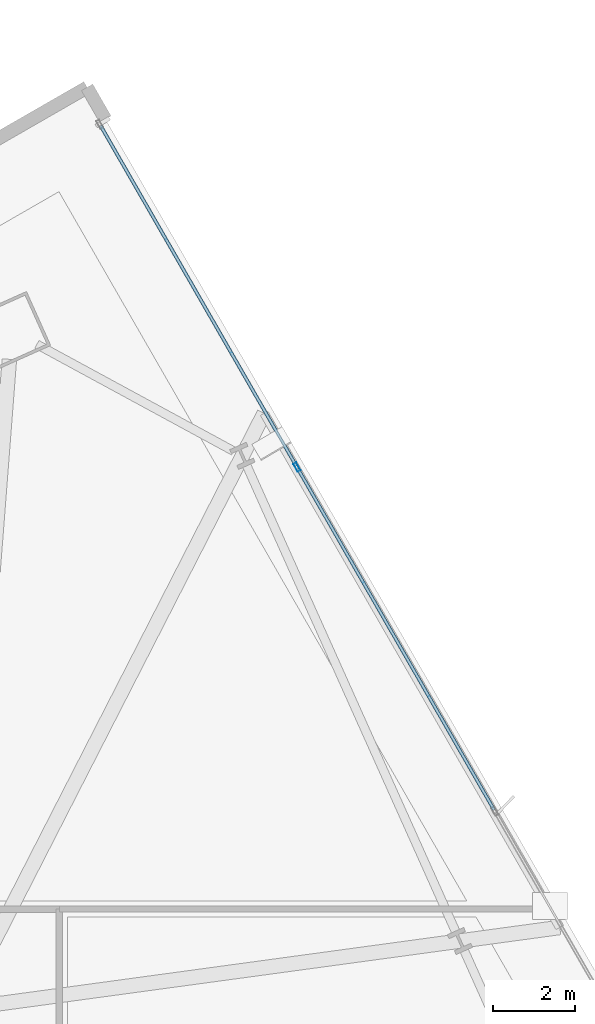
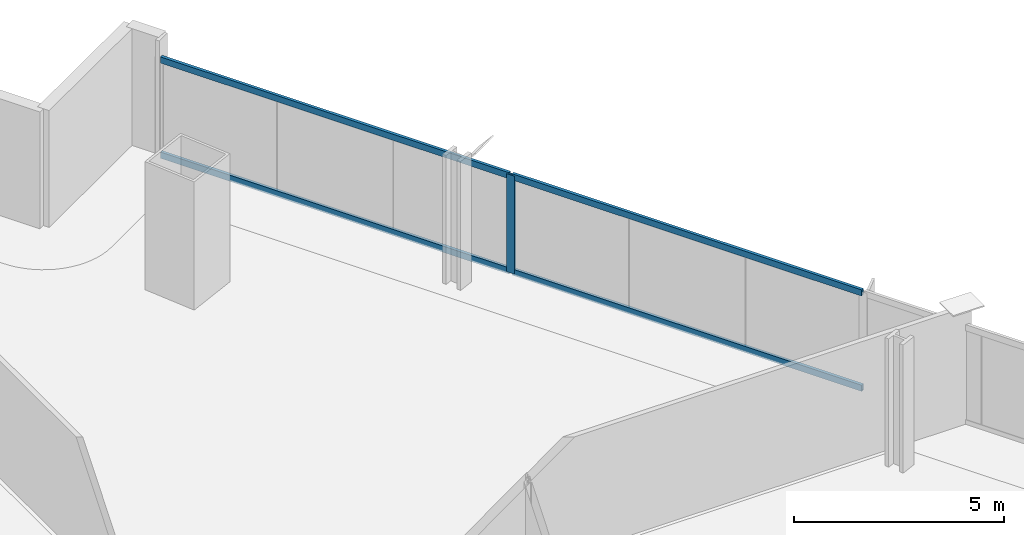
# One storey, part 20 of 33: 5 members, 1 element without a shape of its own.
"""IFC4 building model written with IfcOpenShell, lengths in metres."""

from ifc_helpers import new_model, si_unit, direction, frame, origin, origin_2d, place, context, subcontext, project, spatial, hollow_rectangle, extrude, material, material_profile, profile_set, type_object, element, aggregate, save


model = new_model("IFC4")

# Units and contexts
model_context = context("Model", 3, precision=1e-05, world=origin(), true_north=direction((0.0, 1.0)))
body_context = subcontext(model_context, "Body", "Model", "MODEL_VIEW")
ifc_project = project(units=[si_unit("LENGTHUNIT", "METRE"), si_unit("AREAUNIT", "SQUARE_METRE"), si_unit("VOLUMEUNIT", "CUBIC_METRE"), si_unit("PLANEANGLEUNIT", "RADIAN"), si_unit("MASSUNIT", "GRAM", prefix="KILO")], contexts=[model_context])

# Site, building, storey
site_placement = place(None, origin())
site = spatial("IfcSite", under=ifc_project, at=site_placement, CompositionType="ELEMENT")
building_placement = place(site_placement, origin())
building = spatial("IfcBuilding", under=site, at=building_placement, Name="Haldenkirk Collegiate Tower", CompositionType="ELEMENT")
storey_placement = place(building_placement, frame((0.0, 0.0, 127.949951171875)))
storey = spatial("IfcBuildingStorey", under=building, at=storey_placement, Name="L31", CompositionType="ELEMENT", Elevation=127.949951171875)

# Curtain wall, members
ifc_material = material(Name="Anodised architectural bronze aluminium", Category="aluminium")
curtain_wall_type = type_object("IfcCurtainWallType", Name="CW-SYS1-CONVEX-LOW", PredefinedType="USERDEFINED", material=ifc_material)
curtain_wall_placement = place(storey_placement, origin())
curtain_wall = element("IfcCurtainWall", 1, at=curtain_wall_placement, inside=storey, type_object=curtain_wall_type, Name="L31 Lower tower convex bronze-framed unitised curtain wall", ObjectType="UNITISED CURTAIN WALL", PredefinedType="USERDEFINED")
ifc_material_profile_1 = material_profile(ifc_material, hollow_rectangle(XDim=0.080078125, YDim=0.219970703125, WallThickness=0.0048828125, at=origin_2d()), Name="CW-MUL-1A")
ifc_profile_set_1 = profile_set([ifc_material_profile_1], Name="Anodised architectural bronze aluminium")
member_type_1 = type_object("IfcMemberType", Name="CW-MUL-1A", PredefinedType="MULLION", material=ifc_profile_set_1)
member_1_placement = place(storey_placement, frame((53.265869140625, 47.26904296875, 0.0), z_axis=(0.0, 0.0, 1.0), x_axis=(0.866895687259, 0.498489586061, 0.0)))
member_1 = element("IfcMember", 2, at=member_1_placement, type_object=member_type_1, Name="CW-1A mullion 2", PredefinedType="MULLION", context=body_context, shape_type="SweptSolid", body=[
    extrude(hollow_rectangle(XDim=0.080078125, YDim=0.219970703125, WallThickness=0.0048828125, at=origin_2d()), origin(), (0.0, 0.0, 1.0), 2.85107421875),
])
ifc_material_profile_2 = material_profile(ifc_material, hollow_rectangle(XDim=0.080078125, YDim=0.179931640625, WallThickness=0.0048828125, at=origin_2d()), Name="CW-TRN-1A")
ifc_profile_set_2 = profile_set([ifc_material_profile_2], Name="Anodised architectural bronze aluminium")
member_type_2 = type_object("IfcMemberType", Name="CW-TRN-1A", PredefinedType="USERDEFINED", material=ifc_profile_set_2)
member_2_placement = place(storey_placement, frame((48.4609375, 55.624755859375, 0.0400390625), z_axis=(0.498495495537, -0.866892289116, 0.0), x_axis=(0.866892289116, 0.498495495537, 0.0)))
member_2 = element("IfcMember", 3, at=member_2_placement, type_object=member_type_2, Name="CW-1A transom 1.1", ObjectType="TRANSOM", PredefinedType="USERDEFINED", context=body_context, shape_type="SweptSolid", body=[
    extrude(hollow_rectangle(XDim=0.080078125, YDim=0.179931640625, WallThickness=0.0048828125, at=origin_2d()), origin(), (0.0, 0.0, 1.0), 9.5986328125),
])
member_3_placement = place(storey_placement, frame((48.4609375, 55.624755859375, 2.81103515625), z_axis=(0.498495495537, -0.866892289116, 0.0), x_axis=(0.866892289116, 0.498495495537, 0.0)))
member_3 = element("IfcMember", 4, at=member_3_placement, type_object=member_type_2, Name="CW-1A transom 1.2", ObjectType="TRANSOM", PredefinedType="USERDEFINED", context=body_context, shape_type="SweptSolid", body=[
    extrude(hollow_rectangle(XDim=0.080078125, YDim=0.179931640625, WallThickness=0.0048828125, at=origin_2d()), origin(), (0.0, 0.0, 1.0), 9.5986328125),
])
member_4_placement = place(storey_placement, frame((53.28564453125, 47.234375, 0.0400390625), z_axis=(0.498502056616, -0.866888516218, 0.0), x_axis=(0.866888516218, 0.498502056616, 0.0)))
member_4 = element("IfcMember", 5, at=member_4_placement, type_object=member_type_2, Name="CW-1A transom 2.1", ObjectType="TRANSOM", PredefinedType="USERDEFINED", context=body_context, shape_type="SweptSolid", body=[
    extrude(hollow_rectangle(XDim=0.080078125, YDim=0.179931640625, WallThickness=0.0048828125, at=origin_2d()), origin(), (0.0, 0.0, 1.0), 9.638671875),
])
member_5_placement = place(storey_placement, frame((53.28564453125, 47.234375, 2.81103515625), z_axis=(0.498502056616, -0.866888516218, 0.0), x_axis=(0.866888516218, 0.498502056616, 0.0)))
member_5 = element("IfcMember", 6, at=member_5_placement, type_object=member_type_2, Name="CW-1A transom 2.2", ObjectType="TRANSOM", PredefinedType="USERDEFINED", context=body_context, shape_type="SweptSolid", body=[
    extrude(hollow_rectangle(XDim=0.080078125, YDim=0.179931640625, WallThickness=0.0048828125, at=origin_2d()), origin(), (0.0, 0.0, 1.0), 9.638671875),
])
aggregate(curtain_wall, [member_1, member_2, member_3, member_4, member_5])

save(model, "model.ifc")
